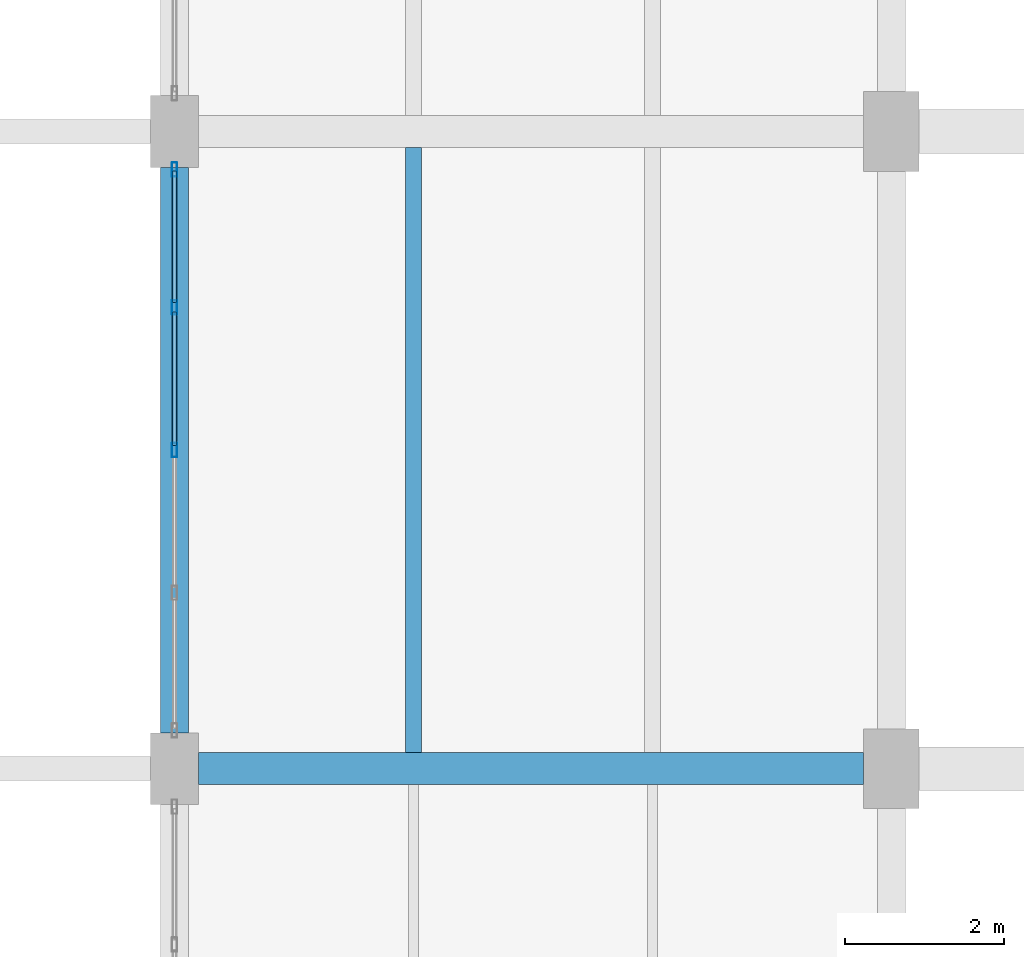
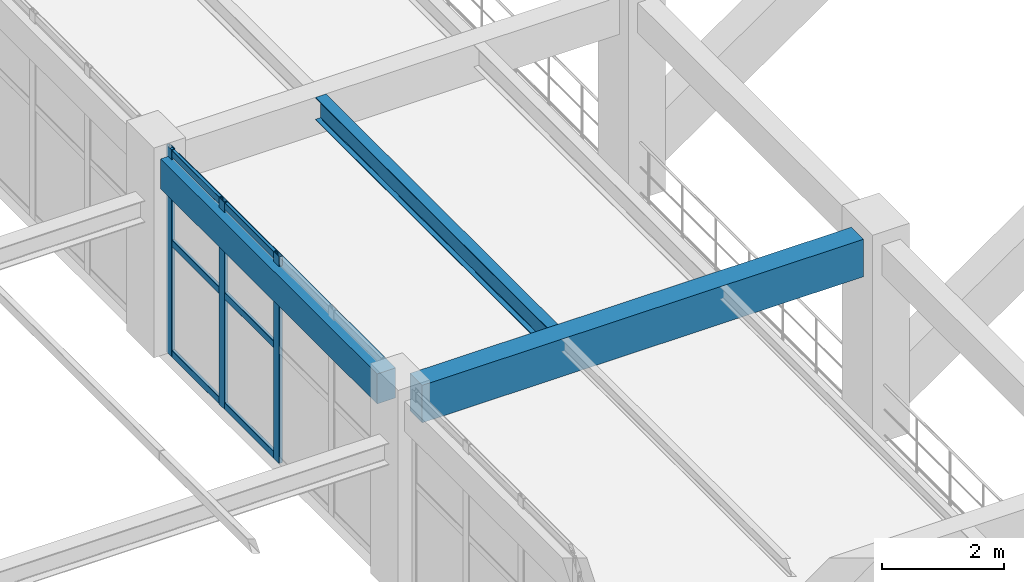
# One storey, part 34 of 148: 9 members, 3 beams, 1 element without a shape of its own.
"""IFC4 building model written with IfcOpenShell, lengths in metres."""

from ifc_helpers import new_model, si_unit, derived_unit, direction, frame, origin, origin_2d, place, context, subcontext, project, spatial, rectangle, hollow_rectangle, i_section, extrude, material, material_profile, profile_set, type_object, element, aggregate, save


model = new_model("IFC4")

# Units and contexts
model_context = context("Model", 3, precision=1e-05, world=origin(), true_north=direction((0.0, 1.0)))
body_context = subcontext(model_context, "Body", "Model", "MODEL_VIEW")
ifc_project = project(units=[si_unit("LENGTHUNIT", "METRE"), si_unit("AREAUNIT", "SQUARE_METRE"), si_unit("VOLUMEUNIT", "CUBIC_METRE"), si_unit("PLANEANGLEUNIT", "RADIAN"), si_unit("MASSUNIT", "GRAM", prefix="KILO"), derived_unit("THERMALTRANSMITTANCEUNIT", [(si_unit("MASSUNIT", "GRAM", prefix="KILO"), 1), (si_unit("TIMEUNIT", "SECOND"), -3), (si_unit("THERMODYNAMICTEMPERATUREUNIT", "KELVIN"), -1)])], contexts=[model_context])

# Site, building, storey
site_placement = place(None, origin())
site = spatial("IfcSite", under=ifc_project, at=site_placement, CompositionType="ELEMENT")
building_placement = place(site_placement, origin())
building = spatial("IfcBuilding", under=site, at=building_placement, Name="Zhenchuan Archway Interchange", CompositionType="ELEMENT")
storey_placement = place(building_placement, frame((0.0, 0.0, 10.199951171875)))
storey = spatial("IfcBuildingStorey", under=building, at=storey_placement, Name="L02", CompositionType="ELEMENT", Elevation=10.199951171875)

# Beam
ifc_material_1 = material(Name="Concrete C40", Category="concrete")
ifc_material_profile_1 = material_profile(ifc_material_1, rectangle(XDim=0.39990234375, YDim=0.75, at=origin_2d()), Name="RC 400x750")
ifc_profile_set_1 = profile_set([ifc_material_profile_1], Name="Concrete C40")
beam_type_1 = type_object("IfcBeamType", Name="BM_RC_400x750", PredefinedType="BEAM", material=ifc_profile_set_1)
beam_1_placement = place(storey_placement, frame((27.300048828125, 40.0, 3.56494140625), z_axis=(1.0, 0.0, 0.0), x_axis=(0.0, 1.0, 0.0)))
element("IfcBeam", 1, at=beam_1_placement, inside=storey, type_object=beam_type_1, Name="Beam F:4-5 (L02)", PredefinedType="BEAM", context=body_context, shape_type="SweptSolid", body=[
    extrude(rectangle(XDim=0.39990234375, YDim=0.75, at=origin_2d()), origin(), (0.0, 0.0, 1.0), 8.349853515625),
])

# Curtain wall, members
ifc_material_2 = material(Name="Anodised Aluminium", Category="aluminium")
curtain_wall_type = type_object("IfcCurtainWallType", Name="CW_UNIT_1", PredefinedType="NOTDEFINED", material=ifc_material_2)
curtain_wall_placement = place(storey_placement, origin())
curtain_wall = element("IfcCurtainWall", 2, at=curtain_wall_placement, inside=storey, type_object=curtain_wall_type, Name="Unitised curtain wall CW:L02:128", PredefinedType="NOTDEFINED")
ifc_material_profile_2 = material_profile(ifc_material_2, hollow_rectangle(XDim=0.070068359375, YDim=0.179931640625, WallThickness=0.00390625, InnerFilletRadius=0.00390625, OuterFilletRadius=0.008056640625, at=origin_2d()), Name="ALU 180x70x4")
ifc_profile_set_2 = profile_set([ifc_material_profile_2], Name="Anodised Aluminium")
member_type_1 = type_object("IfcMemberType", Name="CW_MUL_180", PredefinedType="MULLION", material=ifc_profile_set_2)
member_1_placement = place(storey_placement, frame((27.0, 44.0, 0.0), z_axis=(0.0, 0.0, 1.0), x_axis=(1.0, 0.0, 0.0)))
member_1 = element("IfcMember", 3, at=member_1_placement, type_object=member_type_1, Name="CW:L02:128 mullion 2", PredefinedType="MULLION", context=body_context, shape_type="SweptSolid", body=[
    extrude(hollow_rectangle(XDim=0.070068359375, YDim=0.179931640625, WallThickness=0.00390625, InnerFilletRadius=0.00390625, OuterFilletRadius=0.008056640625, at=origin_2d()), origin(), (0.0, 0.0, 1.0), 4.14013671875),
])
member_2_placement = place(storey_placement, frame((27.0, 45.791015625, 0.0), z_axis=(0.0, 0.0, 1.0), x_axis=(1.0, 0.0, 0.0)))
member_2 = element("IfcMember", 4, at=member_2_placement, type_object=member_type_1, Name="CW:L02:128 mullion 3", PredefinedType="MULLION", context=body_context, shape_type="SweptSolid", body=[
    extrude(hollow_rectangle(XDim=0.070068359375, YDim=0.179931640625, WallThickness=0.00390625, InnerFilletRadius=0.00390625, OuterFilletRadius=0.008056640625, at=origin_2d()), origin(), (0.0, 0.0, 1.0), 4.14013671875),
])
member_3_placement = place(storey_placement, frame((27.0, 47.52197265625, 0.0), z_axis=(0.0, 0.0, 1.0), x_axis=(1.0, 0.0, 0.0)))
member_3 = element("IfcMember", 5, at=member_3_placement, type_object=member_type_1, Name="CW:L02:128 mullion 4", PredefinedType="MULLION", context=body_context, shape_type="SweptSolid", body=[
    extrude(hollow_rectangle(XDim=0.070068359375, YDim=0.179931640625, WallThickness=0.00390625, InnerFilletRadius=0.00390625, OuterFilletRadius=0.008056640625, at=origin_2d()), origin(), (0.0, 0.0, 1.0), 4.14013671875),
])
ifc_material_profile_3 = material_profile(ifc_material_2, hollow_rectangle(XDim=0.06005859375, YDim=0.139892578125, WallThickness=0.00341796875, InnerFilletRadius=0.00341796875, OuterFilletRadius=0.007080078125, at=origin_2d()), Name="ALU 140x60x3.5")
ifc_profile_set_3 = profile_set([ifc_material_profile_3], Name="Anodised Aluminium")
member_type_2 = type_object("IfcMemberType", Name="CW_TRN_140", PredefinedType="USERDEFINED", material=ifc_profile_set_3)
member_4_placement = place(storey_placement, frame((27.0, 44.06005859375, 0.06005859375), z_axis=(0.0, 1.0, 0.0), x_axis=(-1.0, 0.0, 0.0)))
member_4 = element("IfcMember", 6, at=member_4_placement, type_object=member_type_2, Name="CW:L02:128 transom 2-1", ObjectType="TRANSOM", PredefinedType="USERDEFINED", context=body_context, shape_type="SweptSolid", body=[
    extrude(hollow_rectangle(XDim=0.06005859375, YDim=0.139892578125, WallThickness=0.00341796875, InnerFilletRadius=0.00341796875, OuterFilletRadius=0.007080078125, at=origin_2d()), origin(), (0.0, 0.0, 1.0), 1.6708984375),
])
member_5_placement = place(storey_placement, frame((27.0, 44.06005859375, 2.26611328125), z_axis=(0.0, 1.0, 0.0), x_axis=(-1.0, 0.0, 0.0)))
member_5 = element("IfcMember", 7, at=member_5_placement, type_object=member_type_2, Name="CW:L02:128 transom 2-2", ObjectType="TRANSOM", PredefinedType="USERDEFINED", context=body_context, shape_type="SweptSolid", body=[
    extrude(hollow_rectangle(XDim=0.06005859375, YDim=0.139892578125, WallThickness=0.00341796875, InnerFilletRadius=0.00341796875, OuterFilletRadius=0.007080078125, at=origin_2d()), origin(), (0.0, 0.0, 1.0), 1.6708984375),
])
member_6_placement = place(storey_placement, frame((27.0, 44.06005859375, 4.06005859375), z_axis=(0.0, 1.0, 0.0), x_axis=(-1.0, 0.0, 0.0)))
member_6 = element("IfcMember", 8, at=member_6_placement, type_object=member_type_2, Name="CW:L02:128 transom 2-3", ObjectType="TRANSOM", PredefinedType="USERDEFINED", context=body_context, shape_type="SweptSolid", body=[
    extrude(hollow_rectangle(XDim=0.06005859375, YDim=0.139892578125, WallThickness=0.00341796875, InnerFilletRadius=0.00341796875, OuterFilletRadius=0.007080078125, at=origin_2d()), origin(), (0.0, 0.0, 1.0), 1.6708984375),
])
member_7_placement = place(storey_placement, frame((27.0, 45.85107421875, 0.06005859375), z_axis=(0.0, 1.0, 0.0), x_axis=(-1.0, 0.0, 0.0)))
member_7 = element("IfcMember", 9, at=member_7_placement, type_object=member_type_2, Name="CW:L02:128 transom 3-1", ObjectType="TRANSOM", PredefinedType="USERDEFINED", context=body_context, shape_type="SweptSolid", body=[
    extrude(hollow_rectangle(XDim=0.06005859375, YDim=0.139892578125, WallThickness=0.00341796875, InnerFilletRadius=0.00341796875, OuterFilletRadius=0.007080078125, at=origin_2d()), origin(), (0.0, 0.0, 1.0), 1.65087890625),
])
member_8_placement = place(storey_placement, frame((27.0, 45.85107421875, 2.26611328125), z_axis=(0.0, 1.0, 0.0), x_axis=(-1.0, 0.0, 0.0)))
member_8 = element("IfcMember", 10, at=member_8_placement, type_object=member_type_2, Name="CW:L02:128 transom 3-2", ObjectType="TRANSOM", PredefinedType="USERDEFINED", context=body_context, shape_type="SweptSolid", body=[
    extrude(hollow_rectangle(XDim=0.06005859375, YDim=0.139892578125, WallThickness=0.00341796875, InnerFilletRadius=0.00341796875, OuterFilletRadius=0.007080078125, at=origin_2d()), origin(), (0.0, 0.0, 1.0), 1.65087890625),
])
member_9_placement = place(storey_placement, frame((27.0, 45.85107421875, 4.06005859375), z_axis=(0.0, 1.0, 0.0), x_axis=(-1.0, 0.0, 0.0)))
member_9 = element("IfcMember", 11, at=member_9_placement, type_object=member_type_2, Name="CW:L02:128 transom 3-3", ObjectType="TRANSOM", PredefinedType="USERDEFINED", context=body_context, shape_type="SweptSolid", body=[
    extrude(hollow_rectangle(XDim=0.06005859375, YDim=0.139892578125, WallThickness=0.00341796875, InnerFilletRadius=0.00341796875, OuterFilletRadius=0.007080078125, at=origin_2d()), origin(), (0.0, 0.0, 1.0), 1.65087890625),
])
aggregate(curtain_wall, [member_1, member_2, member_3, member_4, member_5, member_6, member_7, member_8, member_9])

# Beams
ifc_material_3 = material(Name="Steel Q355", Category="steel")
ifc_material_profile_4 = material_profile(ifc_material_3, i_section(OverallWidth=0.199951171875, OverallDepth=0.449951171875, WebThickness=0.009033203125, FlangeThickness=0.013916015625, FilletRadius=0.01806640625, at=origin_2d()), Name="HN 450x200")
ifc_profile_set_4 = profile_set([ifc_material_profile_4], Name="Steel Q355")
beam_type_2 = type_object("IfcBeamType", Name="JST_STL_HN450", PredefinedType="JOIST", material=ifc_profile_set_4)
beam_2_placement = place(storey_placement, frame((30.0, 40.199951171875, 3.715087890625), z_axis=(0.0, 1.0, 0.0), x_axis=(-1.0, 0.0, 0.0)))
element("IfcBeam", 12, at=beam_2_placement, inside=storey, type_object=beam_type_2, Name="Secondary joist 4-5/F-G #1 (L02)", PredefinedType="JOIST", context=body_context, shape_type="SweptSolid", body=[
    extrude(i_section(OverallWidth=0.199951171875, OverallDepth=0.449951171875, WebThickness=0.009033203125, FlangeThickness=0.013916015625, FilletRadius=0.01806640625, at=origin_2d()), origin(), (0.0, 0.0, 1.0), 7.60009765625),
])
ifc_material_profile_5 = material_profile(ifc_material_1, rectangle(XDim=0.35009765625, YDim=0.60009765625, at=origin_2d()), Name="RC 350x600")
ifc_profile_set_5 = profile_set([ifc_material_profile_5], Name="Concrete C40")
beam_type_3 = type_object("IfcBeamType", Name="SP_RC_350x600", PredefinedType="SPANDREL", material=ifc_profile_set_5)
beam_3_placement = place(storey_placement, frame((27.0, 40.449951171875, 3.64013671875), z_axis=(0.0, 1.0, 0.0), x_axis=(-1.0, 0.0, 0.0)))
element("IfcBeam", 13, at=beam_3_placement, inside=storey, type_object=beam_type_3, Name="Beam 4:F-G (L02)", PredefinedType="SPANDREL", context=body_context, shape_type="SweptSolid", body=[
    extrude(rectangle(XDim=0.35009765625, YDim=0.60009765625, at=origin_2d()), origin(), (0.0, 0.0, 1.0), 7.10009765625),
])

save(model, "model.ifc")
